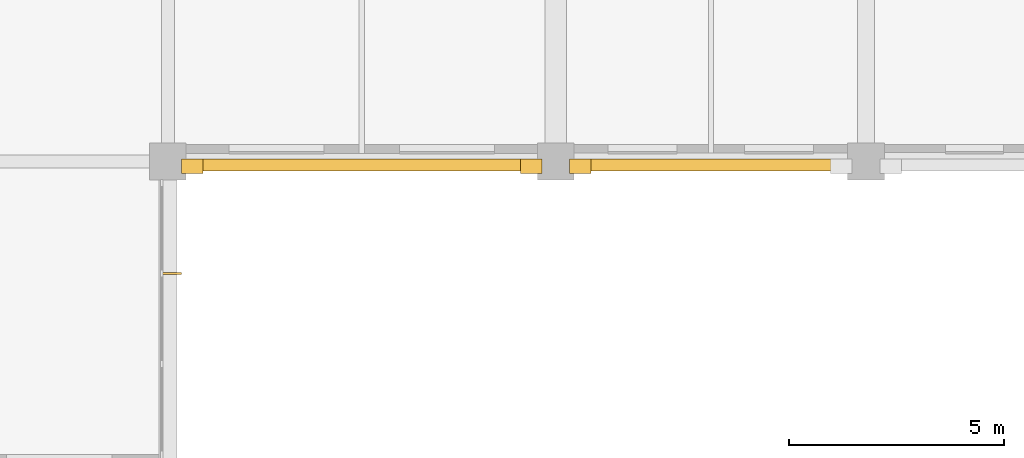
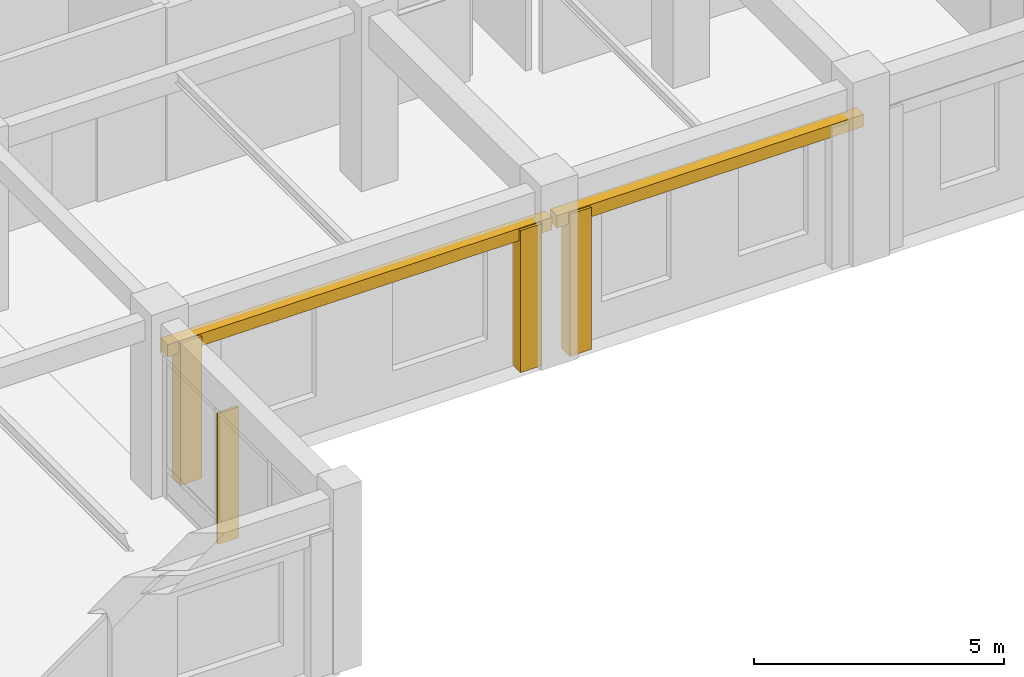
# One storey, part 58 of 62: 5 coverings, 1 shading device.
"""IFC4 building model written with IfcOpenShell, lengths in metres."""

from ifc_helpers import new_model, si_unit, direction, frame, frame_2d, origin, place, context, subcontext, project, spatial, rectangle, extrude, material, layer, layer_set, type_object, element, save


model = new_model("IFC4")

# Units and contexts
model_context = context("Model", 3, precision=1e-05, world=origin(), true_north=direction((0.0, 1.0)))
body_context = subcontext(model_context, "Body", "Model", "MODEL_VIEW")
ifc_project = project(units=[si_unit("LENGTHUNIT", "METRE"), si_unit("AREAUNIT", "SQUARE_METRE"), si_unit("VOLUMEUNIT", "CUBIC_METRE"), si_unit("PLANEANGLEUNIT", "RADIAN"), si_unit("MASSUNIT", "GRAM", prefix="KILO")], contexts=[model_context])

# Site, building, storey
site_placement = place(None, origin())
site = spatial("IfcSite", under=ifc_project, at=site_placement, CompositionType="ELEMENT")
building_placement = place(site_placement, origin())
building = spatial("IfcBuilding", under=site, at=building_placement, Name="Clarverna Civic Hall", CompositionType="ELEMENT")
storey_placement = place(building_placement, frame((0.0, 0.0, 5.10009765625)))
storey = spatial("IfcBuildingStorey", under=building, at=storey_placement, Name="L01", CompositionType="ELEMENT", Elevation=5.10009765625)

# Coverings
ifc_material_1 = material(Name="Montjuic Buff Limestone Ashlar Cladding", Category="masonry")
ifc_layer_1 = layer(ifc_material_1, 0.070068359375)
ifc_layer_set_1 = layer_set([ifc_layer_1], Name="Montjuic Buff Limestone Ashlar Cladding")
covering_type = type_object("IfcCoveringType", Name="CV-CL2", PredefinedType="CLADDING", material=ifc_layer_set_1)
covering_1_placement = place(storey_placement, frame((129.5400390625, 94.919921875, 3.18994140625), z_axis=(0.0, 0.0, 1.0), x_axis=(-1.0, 0.0, 0.0)))
element("IfcCovering", 1, at=covering_1_placement, inside=storey, type_object=covering_type, Name="CV-CL2-294", PredefinedType="CLADDING", context=body_context, shape_type="SweptSolid", body=[
    extrude(rectangle(XDim=7.080078125, YDim=0.280029296875, at=frame_2d((3.5400390625, 0.0))), origin(), (0.0, 0.0, 1.0), 0.300048828125),
])
covering_2_placement = place(storey_placement, frame((123.219970703125, 94.889892578125, 0.0), z_axis=(0.0, 0.0, 1.0), x_axis=(-1.0, 0.0, 0.0)))
element("IfcCovering", 2, at=covering_2_placement, inside=storey, type_object=covering_type, Name="CV-CL2-296", PredefinedType="CLADDING", context=body_context, shape_type="SweptSolid", body=[
    extrude(rectangle(XDim=0.5, YDim=0.340087890625, at=frame_2d((0.25, 0.0))), origin(), (0.0, 0.0, 1.0), 3.469970703125),
])
covering_3_placement = place(storey_placement, frame((122.340087890625, 94.919921875, 3.18994140625), z_axis=(0.0, 0.0, 1.0), x_axis=(-1.0, 0.0, 0.0)))
element("IfcCovering", 3, at=covering_3_placement, inside=storey, type_object=covering_type, Name="CV-CL2-297", PredefinedType="CLADDING", context=body_context, shape_type="SweptSolid", body=[
    extrude(rectangle(XDim=8.880126953125, YDim=0.280029296875, at=frame_2d((4.43994140625, 0.0))), origin(), (0.0, 0.0, 1.0), 0.300048828125),
])
for number, where, z_axis, x_axis, name in (
    (4, (122.080078125, 94.889892578125, 0.0), (0.0, 0.0, 1.0), (-1.0, 0.0, 0.0), "CV-CL2-298"),
    (5, (114.219970703125, 94.889892578125, 0.0), (0.0, 0.0, 1.0), (-1.0, 0.0, 0.0), "CV-CL2-299"),
):
    element("IfcCovering", number, at=place(storey_placement, frame(where, z_axis=z_axis, x_axis=x_axis)), inside=storey, type_object=covering_type, Name=name, PredefinedType="CLADDING", context=body_context, shape_type="SweptSolid", body=[
        extrude(rectangle(XDim=0.5, YDim=0.340087890625, at=frame_2d((0.25, 0.0))), origin(), (0.0, 0.0, 1.0), 3.469970703125),
    ])

# Shading device
ifc_material_2 = material(Name="Anodised Bronze Architectural Solar Fin", Category="aluminium")
ifc_layer_2 = layer(ifc_material_2, 0.054931640625)
ifc_layer_set_2 = layer_set([ifc_layer_2], Name="Anodised Bronze Architectural Solar Fin")
shading_device_type = type_object("IfcShadingDeviceType", Name="SD-FN1", PredefinedType="USERDEFINED", material=ifc_layer_set_2)
shading_device_placement = place(storey_placement, frame((113.22998046875, 92.400634765625, 0.14990234375), z_axis=(0.0, 0.0, 1.0), x_axis=(1.0, 0.0, 0.0)))
element("IfcShadingDevice", 6, at=shading_device_placement, inside=storey, type_object=shading_device_type, Name="SD-FN1-007", ObjectType="FIN", PredefinedType="USERDEFINED", context=body_context, shape_type="SweptSolid", body=[
    extrude(rectangle(XDim=0.47998046875, YDim=0.054931640625, at=frame_2d((0.239990234375, 0.0))), origin(), (0.0, 0.0, 1.0), 3.199951171875),
])

save(model, "model.ifc")
